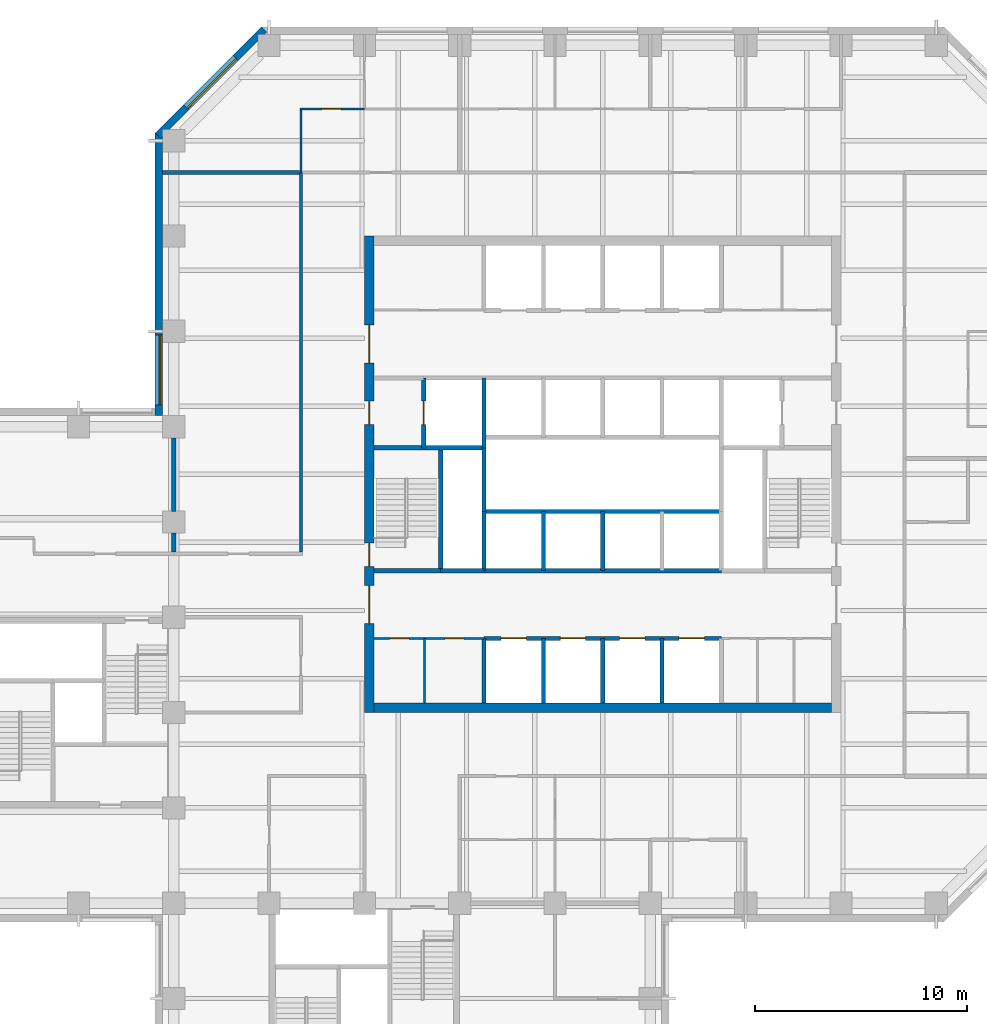
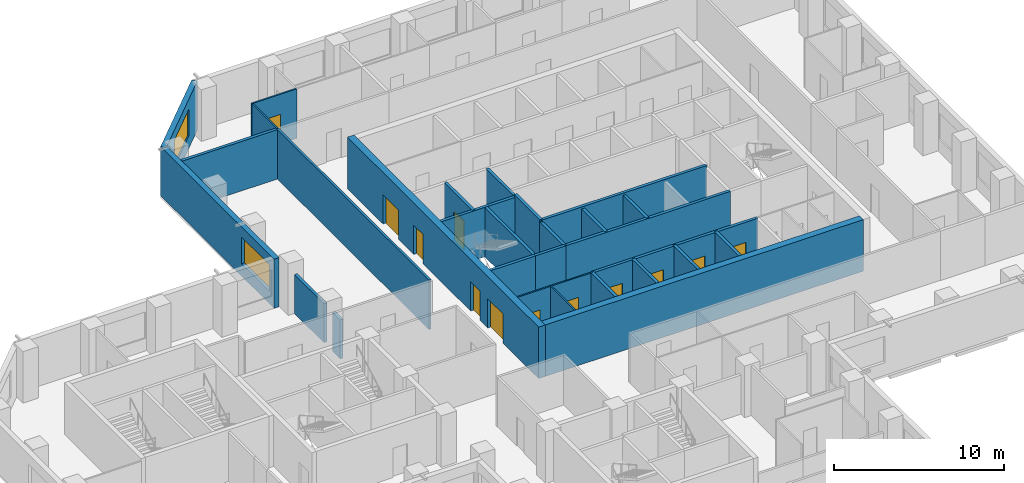
# One storey, part 6 of 11: 29 walls, 12 doors, 2 windows, 14 openings.
"""IFC4 building model written with IfcOpenShell, lengths in metres."""

from ifc_helpers import new_model, si_unit, direction, frame, frame_2d, origin, place, context, subcontext, project, spatial, rectangle, extrude, material, layer, layer_set, constituent, constituent_set, type_object, element, fill, save


model = new_model("IFC4")

# Units and contexts
model_context = context("Model", 3, precision=1e-05, world=origin(), true_north=direction((0.0, 1.0)))
body_context = subcontext(model_context, "Body", "Model", "MODEL_VIEW")
ifc_project = project(units=[si_unit("LENGTHUNIT", "METRE"), si_unit("AREAUNIT", "SQUARE_METRE"), si_unit("VOLUMEUNIT", "CUBIC_METRE"), si_unit("PLANEANGLEUNIT", "RADIAN"), si_unit("MASSUNIT", "GRAM", prefix="KILO")], contexts=[model_context])

# Site, building, storey
site_placement = place(None, origin())
site = spatial("IfcSite", under=ifc_project, at=site_placement, CompositionType="ELEMENT")
building_placement = place(site_placement, origin())
building = spatial("IfcBuilding", under=site, at=building_placement, Name="Quoin Convention Tower", CompositionType="ELEMENT")
storey_placement = place(building_placement, frame((0.0, 0.0, 93.699951171875)))
storey = spatial("IfcBuildingStorey", under=building, at=storey_placement, Name="L24", CompositionType="ELEMENT", Elevation=93.699951171875)

# Wall, opening, window
ifc_material_1 = material(Name="Brick masonry", Category="masonry")
ifc_layer_1 = layer(ifc_material_1, 0.35009765625)
ifc_layer_set_1 = layer_set([ifc_layer_1], Name="Brick masonry")
wall_type_1 = type_object("IfcWallType", Name="Brick facade wall", PredefinedType="STANDARD", material=ifc_layer_set_1)
wall_1_placement = place(storey_placement, frame((40.26123046875, 81.751220703125, 0.0), z_axis=(0.0, 0.0, 1.0), x_axis=(-0.707106781187, -0.707106781187, 0.0)))
wall_1 = element("IfcWall", 1, at=wall_1_placement, inside=storey, type_object=wall_type_1, Name="fw-L24-40500_81000", PredefinedType="STANDARD", context=body_context, shape_type="SweptSolid", body=[
    extrude(rectangle(XDim=7.088623046875, YDim=0.35009765625, at=frame_2d((3.54443359375, 0.0))), origin(), (0.0, 0.0, 1.0), 3.525146484375),
])
opening_1_placement = place(wall_1_placement, frame((1.894287109375, 0.0, 0.89990234375)))
opening_1 = element("IfcOpeningElement", 2, at=opening_1_placement, cuts=wall_1, Name="Opening W-02", PredefinedType="OPENING", context=body_context, shape_type="SweptSolid", body=[
    extrude(rectangle(XDim=3.300048828125, YDim=1.89990234375, at=frame_2d((1.64990234375, 0.949951171875))), frame((0.0, 0.18505859375, 0.0), z_axis=(0.0, -1.0, 0.0), x_axis=(1.0, 0.0, 0.0)), (0.0, 0.0, 1.0), 0.3701171875),
])
ifc_material_2 = material(Name="Aluminium", Category="aluminium")
ifc_constituent_1 = constituent(ifc_material_2, Name="Frame")
ifc_material_3 = material(Name="Insulated glass", Category="glass")
ifc_constituent_2 = constituent(ifc_material_3, Name="Glazing")
ifc_constituent_set = constituent_set(constituents=[ifc_constituent_1, ifc_constituent_2], Name="Aluminium")
window_type = type_object("IfcWindowType", Name="Office window", PartitioningType="DOUBLE_PANEL_VERTICAL", PredefinedType="WINDOW", material=ifc_constituent_set)
window_1_placement = place(opening_1_placement, origin())
window_1 = element("IfcWindow", 3, at=window_1_placement, inside=storey, type_object=window_type, Name="win-L24-37755_79245", OverallHeight=1.89990234375, OverallWidth=3.300048828125, PartitioningType="SINGLE_PANEL", PredefinedType="WINDOW", context=body_context, shape_type="SweptSolid", body=[
    extrude(rectangle(XDim=3.300048828125, YDim=1.89990234375, at=frame_2d((1.64990234375, 0.949951171875))), frame((0.0, 0.0849609375, 0.0), z_axis=(0.0, -1.0, 0.0), x_axis=(1.0, 0.0, 0.0)), (0.0, 0.0, 1.0), 0.06005859375),
])
fill(opening_1, window_1)

wall_2_placement = place(storey_placement, frame((35.300048828125, 76.8623046875, 0.0), z_axis=(0.0, 0.0, 1.0), x_axis=(0.0, -1.0, 0.0)))
wall_2 = element("IfcWall", 4, at=wall_2_placement, inside=storey, type_object=wall_type_1, Name="fw-L24-36000_76500", PredefinedType="STANDARD", context=body_context, shape_type="SweptSolid", body=[
    extrude(rectangle(XDim=13.33740234375, YDim=0.35009765625, at=frame_2d((6.668701171875, 0.0))), origin(), (0.0, 0.0, 1.0), 3.525146484375),
])
opening_2_placement = place(wall_2_placement, frame((9.537353515625, 0.0, 0.89990234375)))
opening_2 = element("IfcOpeningElement", 5, at=opening_2_placement, cuts=wall_2, Name="Opening W-02", PredefinedType="OPENING", context=body_context, shape_type="SweptSolid", body=[
    extrude(rectangle(XDim=3.300048828125, YDim=1.89990234375, at=frame_2d((1.64990234375, 0.949951171875))), frame((0.0, 0.18505859375, 0.0), z_axis=(0.0, -1.0, 0.0), x_axis=(1.0, 0.0, 0.0)), (0.0, 0.0, 1.0), 0.3701171875),
])
window_2_placement = place(opening_2_placement, origin())
window_2 = element("IfcWindow", 6, at=window_2_placement, inside=storey, type_object=window_type, Name="win-L24-35300_65250", OverallHeight=1.89990234375, OverallWidth=3.300048828125, PartitioningType="SINGLE_PANEL", PredefinedType="WINDOW", context=body_context, shape_type="SweptSolid", body=[
    extrude(rectangle(XDim=3.300048828125, YDim=1.89990234375, at=frame_2d((1.64990234375, 0.949951171875))), frame((0.0, 0.0849609375, 0.0), z_axis=(0.0, -1.0, 0.0), x_axis=(1.0, 0.0, 0.0)), (0.0, 0.0, 1.0), 0.06005859375),
])
fill(opening_2, window_2)

# Wall, openings, doors
ifc_material_4 = material(Name="Plasterboard")
ifc_layer_2 = layer(ifc_material_4, 0.012451171875, Name="Finish")
ifc_material_5 = material(Name="Steel stud framing", Category="steel")
ifc_layer_3 = layer(ifc_material_5, 0.074951171875, Name="Structure")
ifc_layer_4 = layer(ifc_material_4, 0.012451171875, Name="Finish")
ifc_layer_set_2 = layer_set([ifc_layer_2, ifc_layer_3, ifc_layer_4], Name="Steel stud framing")
wall_type_2 = type_object("IfcWallType", Name="Core partition wall", PredefinedType="PARTITIONING", material=ifc_layer_set_2)
wall_3_placement = place(storey_placement, frame((45.449951171875, 53.0, 0.0), z_axis=(0.0, 0.0, 1.0), x_axis=(1.0, 0.0, 0.0)))
wall_3 = element("IfcWall", 7, at=wall_3_placement, inside=storey, type_object=wall_type_2, Name="cr-C1-L24-h3500_450", PredefinedType="PARTITIONING", context=body_context, shape_type="SweptSolid", body=[
    extrude(rectangle(XDim=5.199951171875, YDim=0.10009765625, at=frame_2d((2.60009765625, 0.0))), origin(), (0.0, 0.0, 1.0), 3.550048828125),
])
opening_3_placement = place(wall_3_placement, frame((0.74609375, 0.0, 0.0)))
opening_3 = element("IfcOpeningElement", 8, at=opening_3_placement, cuts=wall_3, Name="Opening DCV2-33", PredefinedType="OPENING", context=body_context, shape_type="SweptSolid", body=[
    extrude(rectangle(XDim=0.89990234375, YDim=2.10009765625, at=frame_2d((0.449951171875, 1.050048828125))), frame((0.0, 0.06005859375, 0.0), z_axis=(0.0, -1.0, 0.0), x_axis=(1.0, 0.0, 0.0)), (0.0, 0.0, 1.0), 0.1201171875),
])
opening_4_placement = place(wall_3_placement, frame((3.345947265625, 0.0, 0.0)))
opening_4 = element("IfcOpeningElement", 9, at=opening_4_placement, cuts=wall_3, Name="Opening DCV2-34", PredefinedType="OPENING", context=body_context, shape_type="SweptSolid", body=[
    extrude(rectangle(XDim=0.89990234375, YDim=2.10009765625, at=frame_2d((0.449951171875, 1.050048828125))), frame((0.0, 0.06005859375, 0.0), z_axis=(0.0, -1.0, 0.0), x_axis=(1.0, 0.0, 0.0)), (0.0, 0.0, 1.0), 0.1201171875),
])
ifc_material_6 = material(Name="Steel door leaf", Category="steel")
door_type_1 = type_object("IfcDoorType", Name="Core room door 900 x 2100", OperationType="SINGLE_SWING_LEFT", PredefinedType="DOOR", material=ifc_material_6)
door_1_placement = place(opening_3_placement, frame((0.89990234375, 0.0, 0.0), z_axis=(0.0, 0.0, 1.0), x_axis=(-1.0, 0.0, 0.0)))
door_1 = element("IfcDoor", 10, at=door_1_placement, inside=storey, type_object=door_type_1, Name="cd-C1-L24-CSW0-lobA-CD2413", OperationType="SINGLE_SWING_LEFT", OverallHeight=2.10009765625, OverallWidth=0.89990234375, PredefinedType="DOOR", context=body_context, shape_type="SweptSolid", body=[
    extrude(rectangle(XDim=0.89990234375, YDim=2.10009765625, at=frame_2d((0.449951171875, 1.050048828125))), frame((0.0, 0.02490234375, 0.0), z_axis=(0.0, -1.0, 0.0), x_axis=(1.0, 0.0, 0.0)), (0.0, 0.0, 1.0), 0.050048828125),
])
fill(opening_3, door_1)
door_2_placement = place(opening_4_placement, frame((0.89990234375, 0.0, 0.0), z_axis=(0.0, 0.0, 1.0), x_axis=(-1.0, 0.0, 0.0)))
door_2 = element("IfcDoor", 11, at=door_2_placement, inside=storey, type_object=door_type_1, Name="cd-C1-L24-CSW1-lobA-CD2414", OperationType="SINGLE_SWING_LEFT", OverallHeight=2.10009765625, OverallWidth=0.89990234375, PredefinedType="DOOR", context=body_context, shape_type="SweptSolid", body=[
    extrude(rectangle(XDim=0.89990234375, YDim=2.10009765625, at=frame_2d((0.449951171875, 1.050048828125))), frame((0.0, 0.02490234375, 0.0), z_axis=(0.0, -1.0, 0.0), x_axis=(1.0, 0.0, 0.0)), (0.0, 0.0, 1.0), 0.050048828125),
])
fill(opening_4, door_2)

# Wall
wall_4_placement = place(storey_placement, frame((47.842041015625, 49.949951171875, 0.0), z_axis=(0.0, 0.0, 1.0), x_axis=(0.0, 1.0, 0.0)))
element("IfcWall", 12, at=wall_4_placement, inside=storey, type_object=wall_type_2, Name="cr-C1-L24-v2842_450", PredefinedType="PARTITIONING", context=body_context, shape_type="SweptSolid", body=[
    extrude(rectangle(XDim=3.050048828125, YDim=0.10009765625, at=frame_2d((1.52490234375, 0.0))), origin(), (0.0, 0.0, 1.0), 3.550048828125),
])

# Wall, openings, doors
ifc_material_7 = material(Name="Concrete C50", Category="concrete")
ifc_layer_5 = layer(ifc_material_7, 0.199951171875)
ifc_layer_set_3 = layer_set([ifc_layer_5], Name="Concrete C50")
wall_type_3 = type_object("IfcWallType", Name="Core shaft wall", PredefinedType="SOLIDWALL", material=ifc_layer_set_3)
wall_5_placement = place(storey_placement, frame((50.64990234375, 53.0, 0.0), z_axis=(0.0, 0.0, 1.0), x_axis=(1.0, 0.0, 0.0)))
wall_5 = element("IfcWall", 13, at=wall_5_placement, inside=storey, type_object=wall_type_3, Name="cr-C1-L24-h3500_5650", PredefinedType="SOLIDWALL", context=body_context, shape_type="SweptSolid", body=[
    extrude(rectangle(XDim=11.2001953125, YDim=0.199951171875, at=frame_2d((5.60009765625, 0.0))), origin(), (0.0, 0.0, 1.0), 3.550048828125),
])
opening_5_placement = place(wall_5_placement, frame((0.800048828125, 0.0, 0.0)))
opening_5 = element("IfcOpeningElement", 14, at=opening_5_placement, cuts=wall_5, Name="Opening LDL1", PredefinedType="OPENING", context=body_context, shape_type="SweptSolid", body=[
    extrude(rectangle(XDim=1.199951171875, YDim=2.10009765625, at=frame_2d((0.60009765625, 1.050048828125))), frame((0.0, 0.10986328125, 0.0), z_axis=(0.0, -1.0, 0.0), x_axis=(1.0, 0.0, 0.0)), (0.0, 0.0, 1.0), 0.219970703125),
])
opening_6_placement = place(wall_5_placement, frame((3.60009765625, 0.0, 0.0)))
opening_6 = element("IfcOpeningElement", 15, at=opening_6_placement, cuts=wall_5, Name="Opening LDL2", PredefinedType="OPENING", context=body_context, shape_type="SweptSolid", body=[
    extrude(rectangle(XDim=1.199951171875, YDim=2.10009765625, at=frame_2d((0.60009765625, 1.050048828125))), frame((0.0, 0.10986328125, 0.0), z_axis=(0.0, -1.0, 0.0), x_axis=(1.0, 0.0, 0.0)), (0.0, 0.0, 1.0), 0.219970703125),
])
opening_7_placement = place(wall_5_placement, frame((6.39990234375, 0.0, 0.0)))
opening_7 = element("IfcOpeningElement", 16, at=opening_7_placement, cuts=wall_5, Name="Opening LDL3", PredefinedType="OPENING", context=body_context, shape_type="SweptSolid", body=[
    extrude(rectangle(XDim=1.199951171875, YDim=2.10009765625, at=frame_2d((0.60009765625, 1.050048828125))), frame((0.0, 0.10986328125, 0.0), z_axis=(0.0, -1.0, 0.0), x_axis=(1.0, 0.0, 0.0)), (0.0, 0.0, 1.0), 0.219970703125),
])
opening_8_placement = place(wall_5_placement, frame((9.199951171875, 0.0, 0.0)))
opening_8 = element("IfcOpeningElement", 17, at=opening_8_placement, cuts=wall_5, Name="Opening LDL4", PredefinedType="OPENING", context=body_context, shape_type="SweptSolid", body=[
    extrude(rectangle(XDim=1.199951171875, YDim=2.10009765625, at=frame_2d((0.60009765625, 1.050048828125))), frame((0.0, 0.10986328125, 0.0), z_axis=(0.0, -1.0, 0.0), x_axis=(1.0, 0.0, 0.0)), (0.0, 0.0, 1.0), 0.219970703125),
])
door_type_2 = type_object("IfcDoorType", Name="Lift landing door 1200 x 2100", OperationType="DOUBLE_DOOR_SLIDING", PredefinedType="DOOR", material=ifc_material_6)
door_3_placement = place(opening_5_placement, origin())
door_3 = element("IfcDoor", 18, at=door_3_placement, inside=storey, type_object=door_type_2, Name="cd-C1-L24-R10-lobA-LDL1", OperationType="DOUBLE_DOOR_SLIDING", OverallHeight=2.10009765625, OverallWidth=1.199951171875, PredefinedType="DOOR", context=body_context, shape_type="SweptSolid", body=[
    extrude(rectangle(XDim=1.199951171875, YDim=2.10009765625, at=frame_2d((0.60009765625, 1.050048828125))), frame((0.0, 0.02490234375, 0.0), z_axis=(0.0, -1.0, 0.0), x_axis=(1.0, 0.0, 0.0)), (0.0, 0.0, 1.0), 0.050048828125),
])
fill(opening_5, door_3)
door_4_placement = place(opening_6_placement, origin())
door_4 = element("IfcDoor", 19, at=door_4_placement, inside=storey, type_object=door_type_2, Name="cd-C1-L24-R11-lobA-LDL2", OperationType="DOUBLE_DOOR_SLIDING", OverallHeight=2.10009765625, OverallWidth=1.199951171875, PredefinedType="DOOR", context=body_context, shape_type="SweptSolid", body=[
    extrude(rectangle(XDim=1.199951171875, YDim=2.10009765625, at=frame_2d((0.60009765625, 1.050048828125))), frame((0.0, 0.02490234375, 0.0), z_axis=(0.0, -1.0, 0.0), x_axis=(1.0, 0.0, 0.0)), (0.0, 0.0, 1.0), 0.050048828125),
])
fill(opening_6, door_4)
door_5_placement = place(opening_7_placement, origin())
door_5 = element("IfcDoor", 20, at=door_5_placement, inside=storey, type_object=door_type_2, Name="cd-C1-L24-R12-lobA-LDL3", OperationType="DOUBLE_DOOR_SLIDING", OverallHeight=2.10009765625, OverallWidth=1.199951171875, PredefinedType="DOOR", context=body_context, shape_type="SweptSolid", body=[
    extrude(rectangle(XDim=1.199951171875, YDim=2.10009765625, at=frame_2d((0.60009765625, 1.050048828125))), frame((0.0, 0.02490234375, 0.0), z_axis=(0.0, -1.0, 0.0), x_axis=(1.0, 0.0, 0.0)), (0.0, 0.0, 1.0), 0.050048828125),
])
fill(opening_7, door_5)
door_6_placement = place(opening_8_placement, origin())
door_6 = element("IfcDoor", 21, at=door_6_placement, inside=storey, type_object=door_type_2, Name="cd-C1-L24-R13-lobA-LDL4", OperationType="DOUBLE_DOOR_SLIDING", OverallHeight=2.10009765625, OverallWidth=1.199951171875, PredefinedType="DOOR", context=body_context, shape_type="SweptSolid", body=[
    extrude(rectangle(XDim=1.199951171875, YDim=2.10009765625, at=frame_2d((0.60009765625, 1.050048828125))), frame((0.0, 0.02490234375, 0.0), z_axis=(0.0, -1.0, 0.0), x_axis=(1.0, 0.0, 0.0)), (0.0, 0.0, 1.0), 0.050048828125),
])
fill(opening_8, door_6)

# Walls
wall_6_placement = place(storey_placement, frame((48.60009765625, 56.199951171875, 0.0), z_axis=(0.0, 0.0, 1.0), x_axis=(1.0, 0.0, 0.0)))
element("IfcWall", 22, at=wall_6_placement, inside=storey, type_object=wall_type_3, Name="cr-C1-L24-h6700_3600", PredefinedType="SOLIDWALL", context=body_context, shape_type="SweptSolid", body=[
    extrude(rectangle(XDim=2.0498046875, YDim=0.199951171875, at=frame_2d((1.02490234375, 0.0))), origin(), (0.0, 0.0, 1.0), 3.550048828125),
])
wall_7_placement = place(storey_placement, frame((45.449951171875, 56.199951171875, 0.0), z_axis=(0.0, 0.0, 1.0), x_axis=(1.0, 0.0, 0.0)))
element("IfcWall", 23, at=wall_7_placement, inside=storey, type_object=wall_type_3, Name="cr-C1-L24-h6700_450", PredefinedType="SOLIDWALL", context=body_context, shape_type="SweptSolid", body=[
    extrude(rectangle(XDim=3.150146484375, YDim=0.199951171875, at=frame_2d((1.5751953125, 0.0))), origin(), (0.0, 0.0, 1.0), 3.550048828125),
])
wall_8_placement = place(storey_placement, frame((50.64990234375, 56.199951171875, 0.0), z_axis=(0.0, 0.0, 1.0), x_axis=(1.0, 0.0, 0.0)))
element("IfcWall", 24, at=wall_8_placement, inside=storey, type_object=wall_type_3, Name="cr-C1-L24-h6700_5650", PredefinedType="SOLIDWALL", context=body_context, shape_type="SweptSolid", body=[
    extrude(rectangle(XDim=11.2001953125, YDim=0.199951171875, at=frame_2d((5.60009765625, 0.0))), origin(), (0.0, 0.0, 1.0), 3.550048828125),
])
wall_9_placement = place(storey_placement, frame((45.449951171875, 62.0, 0.0), z_axis=(0.0, 0.0, 1.0), x_axis=(1.0, 0.0, 0.0)))
element("IfcWall", 25, at=wall_9_placement, inside=storey, type_object=wall_type_3, Name="cr-C1-L24-h12500_450", PredefinedType="SOLIDWALL", context=body_context, shape_type="SweptSolid", body=[
    extrude(rectangle(XDim=5.199951171875, YDim=0.199951171875, at=frame_2d((2.60009765625, 0.0))), origin(), (0.0, 0.0, 1.0), 3.550048828125),
])

# Wall, opening, door
wall_10_placement = place(storey_placement, frame((47.800048828125, 62.0, 0.0), z_axis=(0.0, 0.0, 1.0), x_axis=(0.0, 1.0, 0.0)))
wall_10 = element("IfcWall", 26, at=wall_10_placement, inside=storey, type_object=wall_type_3, Name="cr-C1-L24-v2800_12500", PredefinedType="SOLIDWALL", context=body_context, shape_type="SweptSolid", body=[
    extrude(rectangle(XDim=3.300048828125, YDim=0.199951171875, at=frame_2d((1.64990234375, 0.0))), origin(), (0.0, 0.0, 1.0), 3.550048828125),
])
opening_9_placement = place(wall_10_placement, frame((1.10009765625, 0.0, 0.0)))
opening_9 = element("IfcOpeningElement", 27, at=opening_9_placement, cuts=wall_10, Name="Opening LDFL1", PredefinedType="OPENING", context=body_context, shape_type="SweptSolid", body=[
    extrude(rectangle(XDim=1.10009765625, YDim=2.10009765625, at=frame_2d((0.550048828125, 1.050048828125))), frame((0.0, 0.10986328125, 0.0), z_axis=(0.0, -1.0, 0.0), x_axis=(1.0, 0.0, 0.0)), (0.0, 0.0, 1.0), 0.219970703125),
])
door_type_3 = type_object("IfcDoorType", Name="Lift landing door 1100 x 2100", OperationType="DOUBLE_DOOR_SLIDING", PredefinedType="DOOR", material=ifc_material_6)
door_7_placement = place(opening_9_placement, origin())
door_7 = element("IfcDoor", 28, at=door_7_placement, inside=storey, type_object=door_type_3, Name="cd-C1-L24-FLW-FFW-LDFL1", OperationType="DOUBLE_DOOR_SLIDING", OverallHeight=2.10009765625, OverallWidth=1.10009765625, PredefinedType="DOOR", context=body_context, shape_type="SweptSolid", body=[
    extrude(rectangle(XDim=1.10009765625, YDim=2.10009765625, at=frame_2d((0.550048828125, 1.050048828125))), frame((0.0, 0.02490234375, 0.0), z_axis=(0.0, -1.0, 0.0), x_axis=(1.0, 0.0, 0.0)), (0.0, 0.0, 1.0), 0.050048828125),
])
fill(opening_9, door_7)

# Walls
wall_11_placement = place(storey_placement, frame((48.60009765625, 56.199951171875, 0.0), z_axis=(0.0, 0.0, 1.0), x_axis=(0.0, 1.0, 0.0)))
element("IfcWall", 29, at=wall_11_placement, inside=storey, type_object=wall_type_3, Name="cr-C1-L24-v3600_6700", PredefinedType="SOLIDWALL", context=body_context, shape_type="SweptSolid", body=[
    extrude(rectangle(XDim=5.800048828125, YDim=0.199951171875, at=frame_2d((2.89990234375, 0.0))), origin(), (0.0, 0.0, 1.0), 3.550048828125),
])
wall_12_placement = place(storey_placement, frame((50.64990234375, 49.949951171875, 0.0), z_axis=(0.0, 0.0, 1.0), x_axis=(0.0, 1.0, 0.0)))
element("IfcWall", 30, at=wall_12_placement, inside=storey, type_object=wall_type_3, Name="cr-C1-L24-v5650_450", PredefinedType="SOLIDWALL", context=body_context, shape_type="SweptSolid", body=[
    extrude(rectangle(XDim=3.050048828125, YDim=0.199951171875, at=frame_2d((1.52490234375, 0.0))), origin(), (0.0, 0.0, 1.0), 3.550048828125),
])
wall_13_placement = place(storey_placement, frame((50.64990234375, 56.199951171875, 0.0), z_axis=(0.0, 0.0, 1.0), x_axis=(0.0, 1.0, 0.0)))
element("IfcWall", 31, at=wall_13_placement, inside=storey, type_object=wall_type_3, Name="cr-C1-L24-v5650_6700", PredefinedType="SOLIDWALL", context=body_context, shape_type="SweptSolid", body=[
    extrude(rectangle(XDim=2.800048828125, YDim=0.199951171875, at=frame_2d((1.39990234375, 0.0))), origin(), (0.0, 0.0, 1.0), 3.550048828125),
])
wall_14_placement = place(storey_placement, frame((50.64990234375, 62.0, 0.0), z_axis=(0.0, 0.0, 1.0), x_axis=(0.0, 1.0, 0.0)))
element("IfcWall", 32, at=wall_14_placement, inside=storey, type_object=wall_type_3, Name="cr-C1-L24-v5650_12500", PredefinedType="SOLIDWALL", context=body_context, shape_type="SweptSolid", body=[
    extrude(rectangle(XDim=3.300048828125, YDim=0.199951171875, at=frame_2d((1.64990234375, 0.0))), origin(), (0.0, 0.0, 1.0), 3.550048828125),
])
wall_15_placement = place(storey_placement, frame((53.449951171875, 49.949951171875, 0.0), z_axis=(0.0, 0.0, 1.0), x_axis=(0.0, 1.0, 0.0)))
element("IfcWall", 33, at=wall_15_placement, inside=storey, type_object=wall_type_3, Name="cr-C1-L24-v8450_450", PredefinedType="SOLIDWALL", context=body_context, shape_type="SweptSolid", body=[
    extrude(rectangle(XDim=3.050048828125, YDim=0.199951171875, at=frame_2d((1.52490234375, 0.0))), origin(), (0.0, 0.0, 1.0), 3.550048828125),
])
wall_16_placement = place(storey_placement, frame((53.449951171875, 56.199951171875, 0.0), z_axis=(0.0, 0.0, 1.0), x_axis=(0.0, 1.0, 0.0)))
element("IfcWall", 34, at=wall_16_placement, inside=storey, type_object=wall_type_3, Name="cr-C1-L24-v8450_6700", PredefinedType="SOLIDWALL", context=body_context, shape_type="SweptSolid", body=[
    extrude(rectangle(XDim=2.800048828125, YDim=0.199951171875, at=frame_2d((1.39990234375, 0.0))), origin(), (0.0, 0.0, 1.0), 3.550048828125),
])
wall_17_placement = place(storey_placement, frame((56.25, 49.949951171875, 0.0), z_axis=(0.0, 0.0, 1.0), x_axis=(0.0, 1.0, 0.0)))
element("IfcWall", 35, at=wall_17_placement, inside=storey, type_object=wall_type_3, Name="cr-C1-L24-v11250_450", PredefinedType="SOLIDWALL", context=body_context, shape_type="SweptSolid", body=[
    extrude(rectangle(XDim=3.050048828125, YDim=0.199951171875, at=frame_2d((1.52490234375, 0.0))), origin(), (0.0, 0.0, 1.0), 3.550048828125),
])
wall_18_placement = place(storey_placement, frame((56.25, 56.199951171875, 0.0), z_axis=(0.0, 0.0, 1.0), x_axis=(0.0, 1.0, 0.0)))
element("IfcWall", 36, at=wall_18_placement, inside=storey, type_object=wall_type_3, Name="cr-C1-L24-v11250_6700", PredefinedType="SOLIDWALL", context=body_context, shape_type="SweptSolid", body=[
    extrude(rectangle(XDim=2.800048828125, YDim=0.199951171875, at=frame_2d((1.39990234375, 0.0))), origin(), (0.0, 0.0, 1.0), 3.550048828125),
])
wall_19_placement = place(storey_placement, frame((59.050048828125, 49.949951171875, 0.0), z_axis=(0.0, 0.0, 1.0), x_axis=(0.0, 1.0, 0.0)))
element("IfcWall", 37, at=wall_19_placement, inside=storey, type_object=wall_type_3, Name="cr-C1-L24-v14050_450", PredefinedType="SOLIDWALL", context=body_context, shape_type="SweptSolid", body=[
    extrude(rectangle(XDim=3.050048828125, YDim=0.199951171875, at=frame_2d((1.52490234375, 0.0))), origin(), (0.0, 0.0, 1.0), 3.550048828125),
])
ifc_layer_6 = layer(ifc_material_7, 0.199951171875)
ifc_layer_set_4 = layer_set([ifc_layer_6], Name="Concrete C50")
wall_type_4 = type_object("IfcWallType", Name="Core shaft wall to the floor level over", PredefinedType="SOLIDWALL", material=ifc_layer_set_4)
wall_20_placement = place(storey_placement, frame((50.64990234375, 59.0, 0.0), z_axis=(0.0, 0.0, 1.0), x_axis=(1.0, 0.0, 0.0)))
element("IfcWall", 38, at=wall_20_placement, inside=storey, type_object=wall_type_4, Name="cr-C1-L24-h9500_5650", PredefinedType="SOLIDWALL", context=body_context, shape_type="SweptSolid", body=[
    extrude(rectangle(XDim=11.2001953125, YDim=0.199951171875, at=frame_2d((5.60009765625, 0.0))), origin(), (0.0, 0.0, 1.0), 3.699951171875),
])
wall_21_placement = place(storey_placement, frame((50.64990234375, 59.0, 0.0), z_axis=(0.0, 0.0, 1.0), x_axis=(0.0, 1.0, 0.0)))
element("IfcWall", 39, at=wall_21_placement, inside=storey, type_object=wall_type_4, Name="cr-C1-L24-v5650_9500", PredefinedType="SOLIDWALL", context=body_context, shape_type="SweptSolid", body=[
    extrude(rectangle(XDim=3.0, YDim=0.199951171875, at=frame_2d((1.5, 0.0))), origin(), (0.0, 0.0, 1.0), 3.699951171875),
])
ifc_layer_7 = layer(ifc_material_4, 0.012451171875, Name="Finish")
ifc_layer_8 = layer(ifc_material_5, 0.125, Name="Structure")
ifc_layer_9 = layer(ifc_material_4, 0.012451171875, Name="Finish")
ifc_layer_set_5 = layer_set([ifc_layer_7, ifc_layer_8, ifc_layer_9], Name="Steel stud framing")
wall_type_5 = type_object("IfcWallType", Name="Corridor wall 150", PredefinedType="PARTITIONING", material=ifc_layer_set_5)
wall_22_placement = place(storey_placement, frame((42.0, 57.074951171875, 0.0), z_axis=(0.0, 0.0, 1.0), x_axis=(0.0, 1.0, 0.0)))
element("IfcWall", 40, at=wall_22_placement, inside=storey, type_object=wall_type_5, Name="pw-L24-077", PredefinedType="PARTITIONING", context=body_context, shape_type="SweptSolid", body=[
    extrude(rectangle(XDim=17.925048828125, YDim=0.14990234375, at=frame_2d((8.96240234375, 0.0))), origin(), (0.0, 0.0, 1.0), 3.550048828125),
])
ifc_material_8 = material(Name="Concrete C65", Category="concrete")
ifc_layer_10 = layer(ifc_material_8, 0.449951171875)
ifc_layer_set_6 = layer_set([ifc_layer_10], Name="Concrete C65")
wall_type_6 = type_object("IfcWallType", Name="RC CORE WALL 450 C65", PredefinedType="SHEAR", material=ifc_layer_set_6)
wall_23_placement = place(storey_placement, frame((45.449951171875, 49.72509765625, 0.0), z_axis=(0.0, 0.0, 1.0), x_axis=(1.0, 0.0, 0.0)))
element("IfcWall", 41, at=wall_23_placement, inside=storey, type_object=wall_type_6, Name="cwl-C1-L24-S", PredefinedType="SHEAR", context=body_context, shape_type="SweptSolid", body=[
    extrude(rectangle(XDim=21.60009765625, YDim=0.449951171875, at=frame_2d((10.800048828125, 0.0))), origin(), (0.0, 0.0, 1.0), 3.699951171875),
])

# Wall, openings, doors
wall_24_placement = place(storey_placement, frame((45.22509765625, 49.5, 0.0), z_axis=(0.0, 0.0, 1.0), x_axis=(0.0, 1.0, 0.0)))
wall_24 = element("IfcWall", 42, at=wall_24_placement, inside=storey, type_object=wall_type_6, Name="cwl-C1-L24-W", PredefinedType="SHEAR", context=body_context, shape_type="SweptSolid", body=[
    extrude(rectangle(XDim=22.5, YDim=0.449951171875, at=frame_2d((11.25, 0.0))), origin(), (0.0, 0.0, 1.0), 3.699951171875),
])
opening_10_placement = place(wall_24_placement, frame((4.199951171875, 0.0, 0.0)))
opening_10 = element("IfcOpeningElement", 43, at=opening_10_placement, cuts=wall_24, Name="Opening DCV2-40", PredefinedType="OPENING", context=body_context, shape_type="SweptSolid", body=[
    extrude(rectangle(XDim=1.800048828125, YDim=2.10009765625, at=frame_2d((0.89990234375, 1.050048828125))), frame((0.0, 0.23486328125, 0.0), z_axis=(0.0, -1.0, 0.0), x_axis=(1.0, 0.0, 0.0)), (0.0, 0.0, 1.0), 0.469970703125),
])
opening_11_placement = place(wall_24_placement, frame((6.89990234375, 0.0, 0.0)))
opening_11 = element("IfcOpeningElement", 44, at=opening_11_placement, cuts=wall_24, Name="Opening SD1", PredefinedType="OPENING", context=body_context, shape_type="SweptSolid", body=[
    extrude(rectangle(XDim=1.10009765625, YDim=2.10009765625, at=frame_2d((0.550048828125, 1.050048828125))), frame((0.0, 0.23486328125, 0.0), z_axis=(0.0, -1.0, 0.0), x_axis=(1.0, 0.0, 0.0)), (0.0, 0.0, 1.0), 0.469970703125),
])
opening_12_placement = place(wall_24_placement, frame((13.60009765625, 0.0, 0.0)))
opening_12 = element("IfcOpeningElement", 45, at=opening_12_placement, cuts=wall_24, Name="Opening DCV2-39", PredefinedType="OPENING", context=body_context, shape_type="SweptSolid", body=[
    extrude(rectangle(XDim=1.10009765625, YDim=2.10009765625, at=frame_2d((0.550048828125, 1.050048828125))), frame((0.0, 0.23486328125, 0.0), z_axis=(0.0, -1.0, 0.0), x_axis=(1.0, 0.0, 0.0)), (0.0, 0.0, 1.0), 0.469970703125),
])
opening_13_placement = place(wall_24_placement, frame((16.5, 0.0, 0.0)))
opening_13 = element("IfcOpeningElement", 46, at=opening_13_placement, cuts=wall_24, Name="Opening DCV2-40", PredefinedType="OPENING", context=body_context, shape_type="SweptSolid", body=[
    extrude(rectangle(XDim=1.800048828125, YDim=2.10009765625, at=frame_2d((0.89990234375, 1.050048828125))), frame((0.0, 0.23486328125, 0.0), z_axis=(0.0, -1.0, 0.0), x_axis=(1.0, 0.0, 0.0)), (0.0, 0.0, 1.0), 0.469970703125),
])
door_type_4 = type_object("IfcDoorType", Name="Fire-fighting lobby door 1100 x 2100", OperationType="SINGLE_SWING_LEFT", PredefinedType="DOOR", material=ifc_material_6)
door_8_placement = place(opening_12_placement, frame((1.10009765625, 0.0, 0.0), z_axis=(0.0, 0.0, 1.0), x_axis=(-1.0, 0.0, 0.0)))
door_8 = element("IfcDoor", 47, at=door_8_placement, inside=storey, type_object=door_type_4, Name="cd-C1-L24-FFW-W", OperationType="SINGLE_SWING_LEFT", OverallHeight=2.10009765625, OverallWidth=1.10009765625, PredefinedType="DOOR", context=body_context, shape_type="SweptSolid", body=[
    extrude(rectangle(XDim=1.10009765625, YDim=2.10009765625, at=frame_2d((0.550048828125, 1.050048828125))), frame((0.0, 0.02490234375, 0.0), z_axis=(0.0, -1.0, 0.0), x_axis=(1.0, 0.0, 0.0)), (0.0, 0.0, 1.0), 0.050048828125),
])
fill(opening_12, door_8)
door_type_5 = type_object("IfcDoorType", Name="Lift lobby door 1800 x 2100", OperationType="SINGLE_SWING_LEFT", PredefinedType="DOOR", material=ifc_material_6)
door_9_placement = place(opening_10_placement, frame((1.800048828125, 0.0, 0.0), z_axis=(0.0, 0.0, 1.0), x_axis=(-1.0, 0.0, 0.0)))
door_9 = element("IfcDoor", 48, at=door_9_placement, inside=storey, type_object=door_type_5, Name="cd-C1-L24-lobA-W", OperationType="SINGLE_SWING_LEFT", OverallHeight=2.10009765625, OverallWidth=1.800048828125, PredefinedType="DOOR", context=body_context, shape_type="SweptSolid", body=[
    extrude(rectangle(XDim=1.800048828125, YDim=2.10009765625, at=frame_2d((0.89990234375, 1.050048828125))), frame((0.0, 0.02490234375, 0.0), z_axis=(0.0, -1.0, 0.0), x_axis=(1.0, 0.0, 0.0)), (0.0, 0.0, 1.0), 0.050048828125),
])
fill(opening_10, door_9)
door_10_placement = place(opening_13_placement, frame((1.800048828125, 0.0, 0.0), z_axis=(0.0, 0.0, 1.0), x_axis=(-1.0, 0.0, 0.0)))
door_10 = element("IfcDoor", 49, at=door_10_placement, inside=storey, type_object=door_type_5, Name="cd-C1-L24-lobB-W", OperationType="SINGLE_SWING_LEFT", OverallHeight=2.10009765625, OverallWidth=1.800048828125, PredefinedType="DOOR", context=body_context, shape_type="SweptSolid", body=[
    extrude(rectangle(XDim=1.800048828125, YDim=2.10009765625, at=frame_2d((0.89990234375, 1.050048828125))), frame((0.0, 0.02490234375, 0.0), z_axis=(0.0, -1.0, 0.0), x_axis=(1.0, 0.0, 0.0)), (0.0, 0.0, 1.0), 0.050048828125),
])
fill(opening_13, door_10)
door_type_6 = type_object("IfcDoorType", Name="Stair door 1100 x 2100", OperationType="SINGLE_SWING_RIGHT", PredefinedType="DOOR", material=ifc_material_6)
door_11_placement = place(opening_11_placement, frame((1.10009765625, 0.0, 0.0), z_axis=(0.0, 0.0, 1.0), x_axis=(-1.0, 0.0, 0.0)))
door_11 = element("IfcDoor", 50, at=door_11_placement, inside=storey, type_object=door_type_6, Name="cd-C1-L24-STW-W", OperationType="SINGLE_SWING_RIGHT", OverallHeight=2.10009765625, OverallWidth=1.10009765625, PredefinedType="DOOR", context=body_context, shape_type="SweptSolid", body=[
    extrude(rectangle(XDim=1.10009765625, YDim=2.10009765625, at=frame_2d((0.550048828125, 1.050048828125))), frame((0.0, 0.02490234375, 0.0), z_axis=(0.0, -1.0, 0.0), x_axis=(1.0, 0.0, 0.0)), (0.0, 0.0, 1.0), 0.050048828125),
])
fill(opening_11, door_11)

# Wall, opening, door
ifc_layer_11 = layer(ifc_material_4, 0.012451171875, Name="Finish")
ifc_layer_12 = layer(ifc_material_5, 0.074951171875, Name="Structure")
ifc_layer_13 = layer(ifc_material_4, 0.012451171875, Name="Finish")
ifc_layer_set_7 = layer_set([ifc_layer_11, ifc_layer_12, ifc_layer_13], Name="Steel stud framing")
wall_type_7 = type_object("IfcWallType", Name="Stud partition 100", PredefinedType="PARTITIONING", material=ifc_layer_set_7)
wall_25_placement = place(storey_placement, frame((41.949951171875, 78.0, 0.0), z_axis=(0.0, 0.0, 1.0), x_axis=(1.0, 0.0, 0.0)))
wall_25 = element("IfcWall", 51, at=wall_25_placement, inside=storey, type_object=wall_type_7, Name="pw-L24-043", PredefinedType="PARTITIONING", context=body_context, shape_type="SweptSolid", body=[
    extrude(rectangle(XDim=3.050048828125, YDim=0.10009765625, at=frame_2d((1.52490234375, 0.0))), origin(), (0.0, 0.0, 1.0), 3.550048828125),
])
opening_14_placement = place(wall_25_placement, frame((1.050048828125, 0.0, 0.0)))
opening_14 = element("IfcOpeningElement", 52, at=opening_14_placement, cuts=wall_25, Name="Opening DOL3-18", PredefinedType="OPENING", context=body_context, shape_type="SweptSolid", body=[
    extrude(rectangle(XDim=0.89990234375, YDim=2.10009765625, at=frame_2d((0.449951171875, 1.050048828125))), frame((0.0, 0.06005859375, 0.0), z_axis=(0.0, -1.0, 0.0), x_axis=(1.0, 0.0, 0.0)), (0.0, 0.0, 1.0), 0.1201171875),
])
door_type_7 = type_object("IfcDoorType", Name="Office door 900 x 2100", OperationType="SINGLE_SWING_RIGHT", PredefinedType="DOOR", material=ifc_material_6)
door_12_placement = place(opening_14_placement, origin())
door_12 = element("IfcDoor", 53, at=door_12_placement, inside=storey, type_object=door_type_7, Name="dr-L24-23", OperationType="SINGLE_SWING_RIGHT", OverallHeight=2.10009765625, OverallWidth=0.89990234375, PredefinedType="DOOR", context=body_context, shape_type="SweptSolid", body=[
    extrude(rectangle(XDim=0.89990234375, YDim=2.10009765625, at=frame_2d((0.449951171875, 1.050048828125))), frame((0.0, 0.02490234375, 0.0), z_axis=(0.0, -1.0, 0.0), x_axis=(1.0, 0.0, 0.0)), (0.0, 0.0, 1.0), 0.050048828125),
])
fill(opening_14, door_12)

# Walls
wall_26_placement = place(storey_placement, frame((42.0, 75.0, 0.0), z_axis=(0.0, 0.0, 1.0), x_axis=(0.0, 1.0, 0.0)))
element("IfcWall", 54, at=wall_26_placement, inside=storey, type_object=wall_type_7, Name="pw-L24-083", PredefinedType="PARTITIONING", context=body_context, shape_type="SweptSolid", body=[
    extrude(rectangle(XDim=2.949951171875, YDim=0.10009765625, at=frame_2d((1.47509765625, 0.0))), origin(), (0.0, 0.0, 1.0), 3.550048828125),
])
ifc_layer_14 = layer(ifc_material_4, 0.012451171875, Name="Finish")
ifc_layer_15 = layer(ifc_material_5, 0.175048828125, Name="Structure")
ifc_layer_16 = layer(ifc_material_4, 0.012451171875, Name="Finish")
ifc_layer_set_8 = layer_set([ifc_layer_14, ifc_layer_15, ifc_layer_16], Name="Steel stud framing")
wall_type_8 = type_object("IfcWallType", Name="Tenancy demising wall 200", PredefinedType="PARTITIONING", material=ifc_layer_set_8)
wall_27_placement = place(storey_placement, frame((35.47509765625, 75.0, 0.0), z_axis=(0.0, 0.0, 1.0), x_axis=(1.0, 0.0, 0.0)))
element("IfcWall", 55, at=wall_27_placement, inside=storey, type_object=wall_type_8, Name="pw-L24-039", PredefinedType="PARTITIONING", context=body_context, shape_type="SweptSolid", body=[
    extrude(rectangle(XDim=6.449951171875, YDim=0.199951171875, at=frame_2d((3.22509765625, 0.0))), origin(), (0.0, 0.0, 1.0), 3.550048828125),
])
ifc_layer_17 = layer(ifc_material_4, 0.012451171875, Name="Finish")
ifc_layer_18 = layer(ifc_material_5, 0.175048828125, Name="Structure")
ifc_layer_19 = layer(ifc_material_4, 0.012451171875, Name="Finish")
ifc_layer_set_9 = layer_set([ifc_layer_17, ifc_layer_18, ifc_layer_19], Name="Steel stud framing")
wall_type_9 = type_object("IfcWallType", Name="Tenancy demising wall 200 under beam 750", PredefinedType="PARTITIONING", material=ifc_layer_set_9)
wall_28_placement = place(storey_placement, frame((36.0, 57.074951171875, 0.0), z_axis=(0.0, 0.0, 1.0), x_axis=(0.0, 1.0, 0.0)))
element("IfcWall", 56, at=wall_28_placement, inside=storey, type_object=wall_type_9, Name="pw-L24-076", PredefinedType="PARTITIONING", context=body_context, shape_type="SweptSolid", body=[
    extrude(rectangle(XDim=0.900146484375, YDim=0.199951171875, at=frame_2d((0.4501953125, 0.0))), origin(), (0.0, 0.0, 1.0), 2.800048828125),
])
wall_29_placement = place(storey_placement, frame((36.0, 58.9951171875, 0.0), z_axis=(0.0, 0.0, 1.0), x_axis=(0.0, 1.0, 0.0)))
element("IfcWall", 57, at=wall_29_placement, inside=storey, type_object=wall_type_9, Name="pw-L24-080", PredefinedType="PARTITIONING", context=body_context, shape_type="SweptSolid", body=[
    extrude(rectangle(XDim=3.47998046875, YDim=0.199951171875, at=frame_2d((1.739990234375, 0.0))), origin(), (0.0, 0.0, 1.0), 2.800048828125),
])

save(model, "model.ifc")
